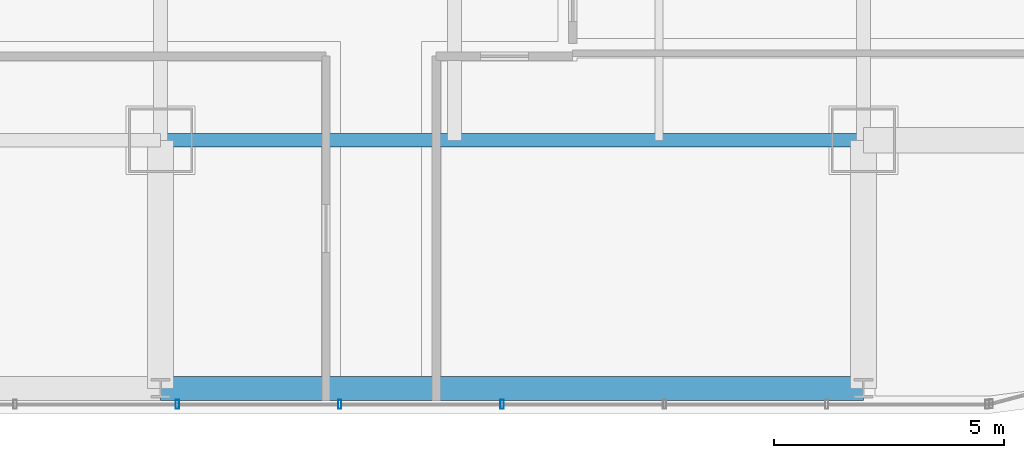
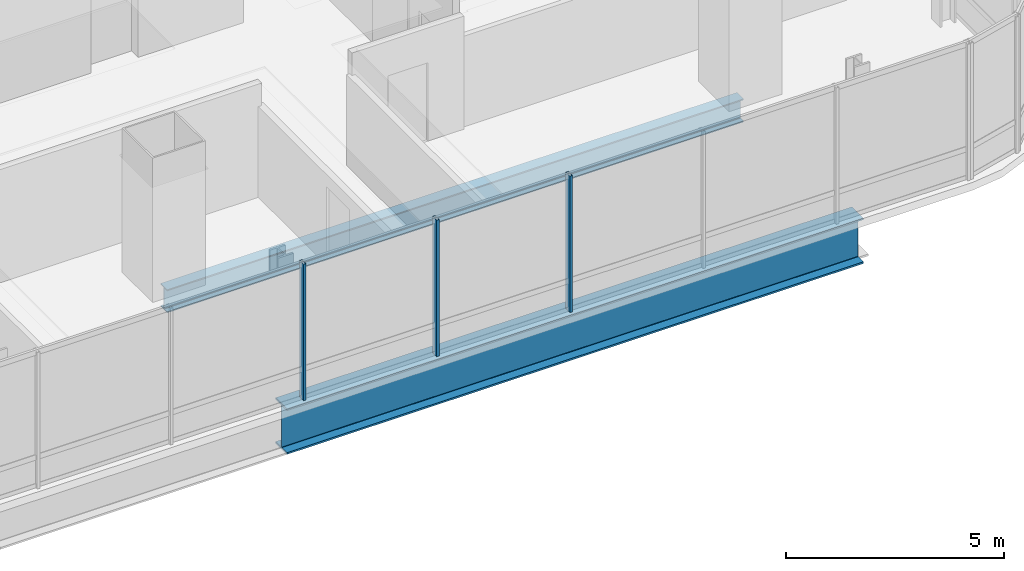
# One storey, part 7 of 36: 3 members, 2 beams, 1 element without a shape of its own.
"""IFC4 building model written with IfcOpenShell, lengths in metres."""

from ifc_helpers import new_model, si_unit, direction, frame, origin, origin_2d, place, context, subcontext, project, spatial, hollow_rectangle, i_section, extrude, material, material_profile, profile_set, type_object, element, aggregate, save


model = new_model("IFC4")

# Units and contexts
model_context = context("Model", 3, precision=1e-05, world=origin(), true_north=direction((0.0, 1.0)))
body_context = subcontext(model_context, "Body", "Model", "MODEL_VIEW")
ifc_project = project(units=[si_unit("LENGTHUNIT", "METRE"), si_unit("AREAUNIT", "SQUARE_METRE"), si_unit("VOLUMEUNIT", "CUBIC_METRE"), si_unit("PLANEANGLEUNIT", "RADIAN"), si_unit("MASSUNIT", "GRAM", prefix="KILO")], contexts=[model_context])

# Site, building, storey
site_placement = place(None, origin())
site = spatial("IfcSite", under=ifc_project, at=site_placement, CompositionType="ELEMENT")
building_placement = place(site_placement, origin())
building = spatial("IfcBuilding", under=site, at=building_placement, Name="Punatoya Terracotta Tower", CompositionType="ELEMENT")
storey_placement = place(building_placement, frame((0.0, 0.0, 208.64990234375)))
storey = spatial("IfcBuildingStorey", under=building, at=storey_placement, Name="L49", CompositionType="ELEMENT", Elevation=208.64990234375)

# Beams
ifc_material_1 = material(Name="Steel S355", Category="steel")
ifc_material_profile_1 = material_profile(ifc_material_1, i_section(OverallWidth=0.300048828125, OverallDepth=0.64990234375, WebThickness=0.01611328125, FlangeThickness=0.031005859375, FilletRadius=0.01806640625, at=origin_2d()))
ifc_profile_set_1 = profile_set([ifc_material_profile_1], Name="Steel S355")
beam_type_1 = type_object("IfcBeamType", Name="BM-PRI-650", PredefinedType="BEAM", material=ifc_profile_set_1)
beam_1_placement = place(storey_placement, frame((3.800048828125, -17.5, -0.544921875), z_axis=(1.0, 0.0, 0.0), x_axis=(0.0, 1.0, 0.0)))
element("IfcBeam", 1, at=beam_1_placement, inside=storey, type_object=beam_type_1, Name="BM-L49-RG-S3", PredefinedType="BEAM", context=body_context, shape_type="SweptSolid", body=[
    extrude(i_section(OverallWidth=0.300048828125, OverallDepth=0.64990234375, WebThickness=0.01611328125, FlangeThickness=0.031005859375, FilletRadius=0.01806640625, at=origin_2d()), origin(), (0.0, 0.0, 1.0), 15.300048828125),
])
ifc_material_2 = material(Name="Steel S460", Category="steel")
ifc_material_profile_2 = material_profile(ifc_material_2, i_section(OverallWidth=0.52001953125, OverallDepth=1.280029296875, WebThickness=0.031982421875, FlangeThickness=0.050048828125, FilletRadius=0.01806640625, at=origin_2d()))
ifc_profile_set_2 = profile_set([ifc_material_profile_2], Name="Steel S460")
beam_type_2 = type_object("IfcBeamType", Name="BM-TG-NCK", PredefinedType="BEAM", material=ifc_profile_set_2)
beam_2_placement = place(storey_placement, frame((3.800048828125, -22.89990234375, -0.85986328125), z_axis=(1.0, 0.0, 0.0), x_axis=(0.0, 1.0, 0.0)))
element("IfcBeam", 2, at=beam_2_placement, inside=storey, type_object=beam_type_2, Name="BM-L49-PER-S3", PredefinedType="BEAM", context=body_context, shape_type="SweptSolid", body=[
    extrude(i_section(OverallWidth=0.52001953125, OverallDepth=1.280029296875, WebThickness=0.031982421875, FlangeThickness=0.050048828125, FilletRadius=0.01806640625, at=origin_2d()), origin(), (0.0, 0.0, 1.0), 15.300048828125),
])

# Curtain wall, members
ifc_material_3 = material(Name="Aluminium 6063-T6 + Double Low-E Glass", Category="aluminium")
curtain_wall_type = type_object("IfcCurtainWallType", Name="CW-M2", PredefinedType="NOTDEFINED", material=ifc_material_3)
curtain_wall_placement = place(storey_placement, origin())
curtain_wall = element("IfcCurtainWall", 3, at=curtain_wall_placement, inside=storey, type_object=curtain_wall_type, Name="L49 Curtain Wall CW-L49-S01-1", PredefinedType="NOTDEFINED")
ifc_material_4 = material(Name="Aluminium 6063-T6", Category="aluminium")
ifc_material_profile_3 = material_profile(ifc_material_4, hollow_rectangle(XDim=0.072021484375, YDim=0.195068359375, WallThickness=0.00439453125, at=origin_2d()))
ifc_profile_set_3 = profile_set([ifc_material_profile_3], Name="Aluminium 6063-T6")
member_type = type_object("IfcMemberType", Name="CW-MUL-M2", PredefinedType="MULLION", material=ifc_profile_set_3)
member_1_placement = place(storey_placement, frame((4.1669921875, -23.25, 0.0), z_axis=(0.0, 0.0, 1.0), x_axis=(1.0, 0.0, 0.0)))
member_1 = element("IfcMember", 4, at=member_1_placement, type_object=member_type, Name="CW-L49-S01-1 Mullion 06", PredefinedType="MULLION", context=body_context, shape_type="SweptSolid", body=[
    extrude(hollow_rectangle(XDim=0.072021484375, YDim=0.195068359375, WallThickness=0.00439453125, at=origin_2d()), origin(), (0.0, 0.0, 1.0), 3.830078125),
])
member_2_placement = place(storey_placement, frame((7.700927734375, -23.25, 0.0), z_axis=(0.0, 0.0, 1.0), x_axis=(1.0, 0.0, 0.0)))
member_2 = element("IfcMember", 5, at=member_2_placement, type_object=member_type, Name="CW-L49-S01-1 Mullion 07", PredefinedType="MULLION", context=body_context, shape_type="SweptSolid", body=[
    extrude(hollow_rectangle(XDim=0.072021484375, YDim=0.195068359375, WallThickness=0.00439453125, at=origin_2d()), origin(), (0.0, 0.0, 1.0), 3.830078125),
])
member_3_placement = place(storey_placement, frame((11.235107421875, -23.25, 0.0), z_axis=(0.0, 0.0, 1.0), x_axis=(1.0, 0.0, 0.0)))
member_3 = element("IfcMember", 6, at=member_3_placement, type_object=member_type, Name="CW-L49-S01-1 Mullion 08", PredefinedType="MULLION", context=body_context, shape_type="SweptSolid", body=[
    extrude(hollow_rectangle(XDim=0.072021484375, YDim=0.195068359375, WallThickness=0.00439453125, at=origin_2d()), origin(), (0.0, 0.0, 1.0), 3.830078125),
])
aggregate(curtain_wall, [member_1, member_2, member_3])

save(model, "model.ifc")
